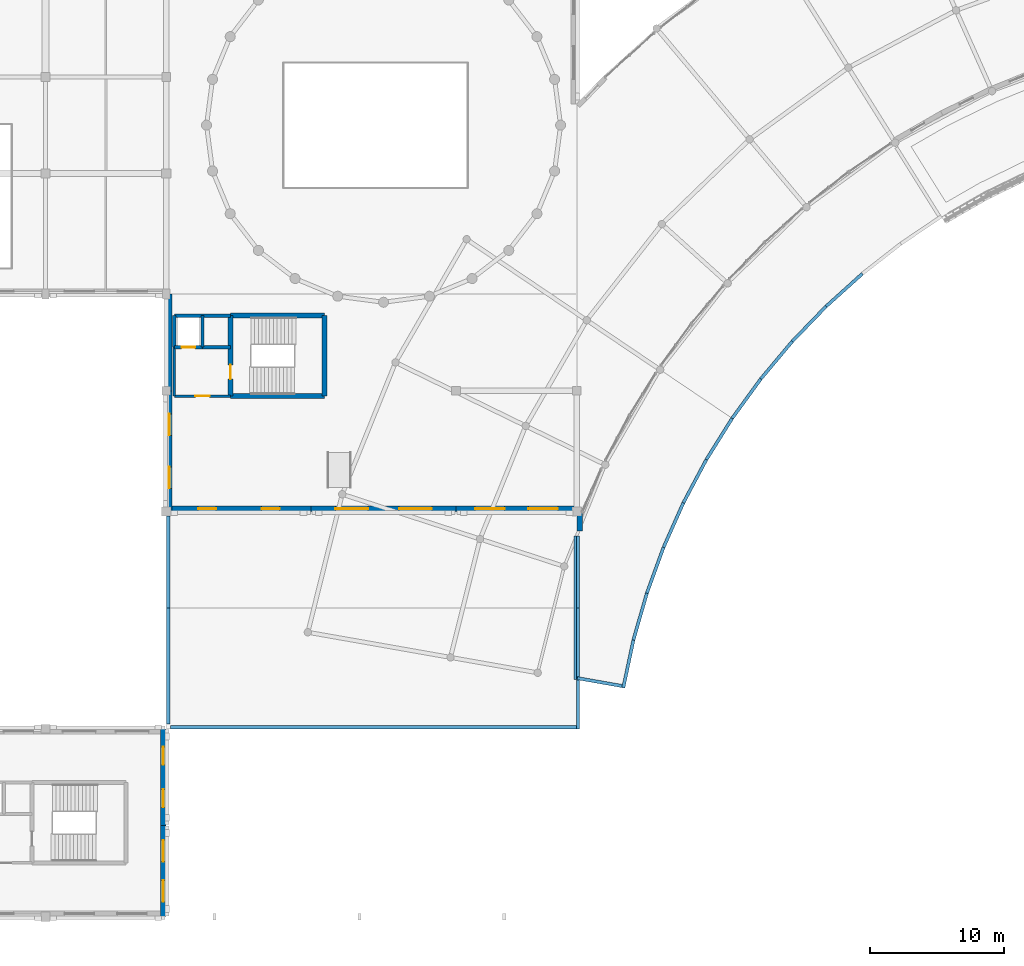
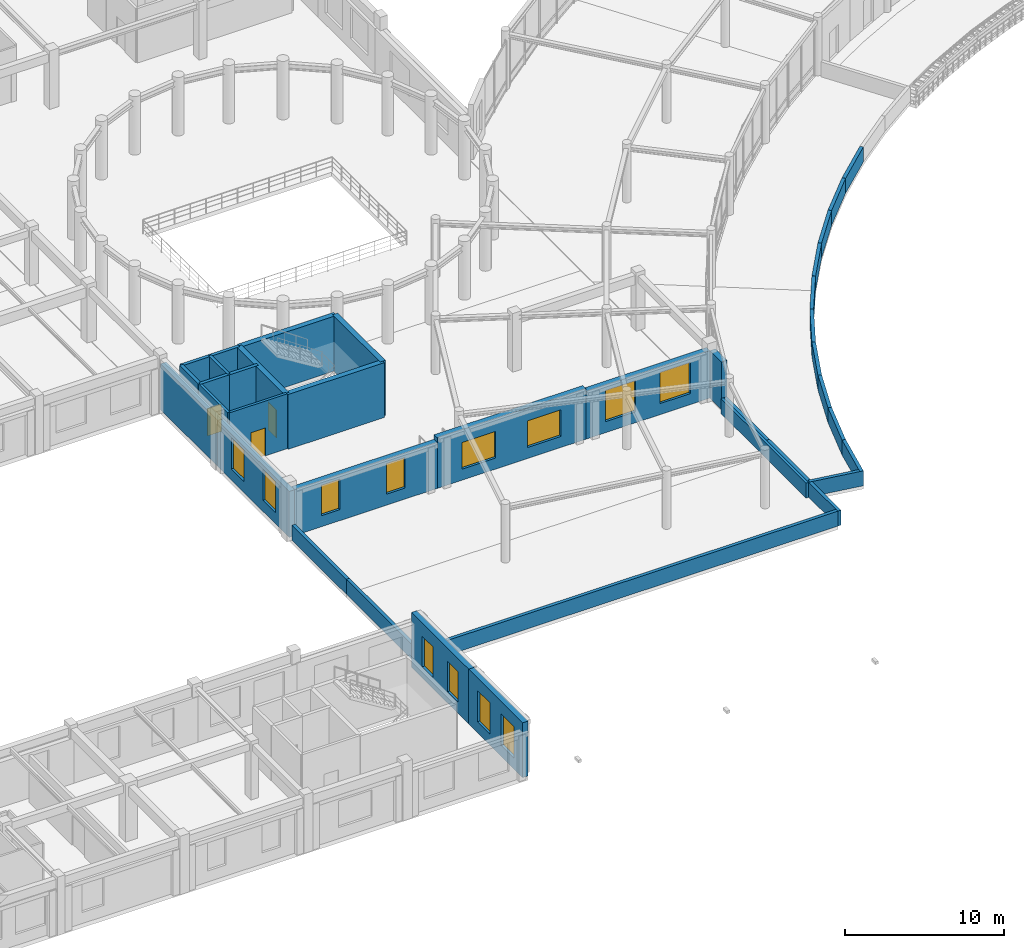
# One storey, part 39 of 62: 36 walls, 12 windows, 3 doors, 15 openings.
"""IFC4 building model written with IfcOpenShell, lengths in metres."""

from ifc_helpers import new_model, si_unit, direction, frame, frame_2d, origin, place, context, subcontext, project, spatial, rectangle, extrude, material, layer, layer_set, type_object, element, fill, save


model = new_model("IFC4")

# Units and contexts
model_context = context("Model", 3, precision=1e-05, world=origin(), true_north=direction((0.0, 1.0)))
body_context = subcontext(model_context, "Body", "Model", "MODEL_VIEW")
ifc_project = project(units=[si_unit("LENGTHUNIT", "METRE"), si_unit("AREAUNIT", "SQUARE_METRE"), si_unit("VOLUMEUNIT", "CUBIC_METRE"), si_unit("PLANEANGLEUNIT", "RADIAN"), si_unit("MASSUNIT", "GRAM", prefix="KILO")], contexts=[model_context])

# Site, building, storey
site_placement = place(None, origin())
site = spatial("IfcSite", under=ifc_project, at=site_placement, CompositionType="ELEMENT")
building_placement = place(site_placement, origin())
building = spatial("IfcBuilding", under=site, at=building_placement, Name="Clarverna Civic Hall", CompositionType="ELEMENT")
storey_placement = place(building_placement, frame((0.0, 0.0, 5.10009765625)))
storey = spatial("IfcBuildingStorey", under=building, at=storey_placement, Name="L01", CompositionType="ELEMENT", Elevation=5.10009765625)

# Wall
ifc_material_1 = material(Name="Montjuic Limestone Ashlar Cladding", Category="masonry")
ifc_layer_1 = layer(ifc_material_1, 0.39990234375)
ifc_layer_set_1 = layer_set([ifc_layer_1], Name="Montjuic Limestone Ashlar Cladding")
wall_type_1 = type_object("IfcWallType", Name="EW-02", PredefinedType="SOLIDWALL", material=ifc_layer_set_1)
wall_1_placement = place(storey_placement, frame((97.425048828125, 28.737548828125, 0.0), z_axis=(0.0, 0.0, 1.0), x_axis=(0.0, 1.0, 0.0)))
element("IfcWall", 1, at=wall_1_placement, inside=storey, type_object=wall_type_1, Name="EW-02-054", PredefinedType="SOLIDWALL", context=body_context, shape_type="SweptSolid", body=[
    extrude(rectangle(XDim=1.46240234375, YDim=0.39990234375, at=frame_2d((0.731201171875, 0.0))), origin(), (0.0, 0.0, 1.0), 3.659912109375),
])

# Wall, openings, windows
wall_2_placement = place(storey_placement, frame((97.22509765625, 30.39990234375, 0.0), z_axis=(0.0, 0.0, 1.0), x_axis=(-1.0, 0.0, 0.0)))
wall_2 = element("IfcWall", 2, at=wall_2_placement, inside=storey, type_object=wall_type_1, Name="EW-02-055", PredefinedType="SOLIDWALL", context=body_context, shape_type="SweptSolid", body=[
    extrude(rectangle(XDim=9.025146484375, YDim=0.39990234375, at=frame_2d((4.5126953125, 0.0))), origin(), (0.0, 0.0, 1.0), 3.659912109375),
])
opening_1_placement = place(wall_2_placement, frame((1.427001953125, 0.0, 0.85009765625)))
opening_1 = element("IfcOpeningElement", 3, at=opening_1_placement, cuts=wall_2, Name="Opening WN-04", PredefinedType="OPENING", context=body_context, shape_type="SweptSolid", body=[
    extrude(rectangle(XDim=2.199951171875, YDim=2.39990234375, at=frame_2d((1.10009765625, 1.199951171875))), frame((0.0, 0.2099609375, 0.0), z_axis=(0.0, -1.0, 0.0), x_axis=(1.0, 0.0, 0.0)), (0.0, 0.0, 1.0), 0.419921875),
])
opening_2_placement = place(wall_2_placement, frame((5.39794921875, 0.0, 0.85009765625)))
opening_2 = element("IfcOpeningElement", 4, at=opening_2_placement, cuts=wall_2, Name="Opening WN-04", PredefinedType="OPENING", context=body_context, shape_type="SweptSolid", body=[
    extrude(rectangle(XDim=2.199951171875, YDim=2.39990234375, at=frame_2d((1.10009765625, 1.199951171875))), frame((0.0, 0.2099609375, 0.0), z_axis=(0.0, -1.0, 0.0), x_axis=(1.0, 0.0, 0.0)), (0.0, 0.0, 1.0), 0.419921875),
])
ifc_material_2 = material(Name="Solar-Control Argon Low-E Double Glazing", Category="glass")
window_type_1 = type_object("IfcWindowType", Name="WN-04", PartitioningType="DOUBLE_PANEL_VERTICAL", PredefinedType="WINDOW", material=ifc_material_2)
window_1_placement = place(opening_1_placement, origin())
window_1 = element("IfcWindow", 5, at=window_1_placement, inside=storey, type_object=window_type_1, Name="WN-04-015", OverallHeight=2.39990234375, OverallWidth=2.199951171875, PartitioningType="DOUBLE_PANEL_VERTICAL", PredefinedType="WINDOW", context=body_context, shape_type="SweptSolid", body=[
    extrude(rectangle(XDim=2.199951171875, YDim=2.39990234375, at=frame_2d((1.10009765625, 1.199951171875))), frame((0.0, 0.030029296875, 0.0), z_axis=(0.0, -1.0, 0.0), x_axis=(1.0, 0.0, 0.0)), (0.0, 0.0, 1.0), 0.06005859375),
])
fill(opening_1, window_1)
window_2_placement = place(opening_2_placement, origin())
window_2 = element("IfcWindow", 6, at=window_2_placement, inside=storey, type_object=window_type_1, Name="WN-04-016", OverallHeight=2.39990234375, OverallWidth=2.199951171875, PartitioningType="DOUBLE_PANEL_VERTICAL", PredefinedType="WINDOW", context=body_context, shape_type="SweptSolid", body=[
    extrude(rectangle(XDim=2.199951171875, YDim=2.39990234375, at=frame_2d((1.10009765625, 1.199951171875))), frame((0.0, 0.030029296875, 0.0), z_axis=(0.0, -1.0, 0.0), x_axis=(1.0, 0.0, 0.0)), (0.0, 0.0, 1.0), 0.06005859375),
])
fill(opening_2, window_2)

wall_3_placement = place(storey_placement, frame((88.199951171875, 30.39990234375, 0.0), z_axis=(0.0, 0.0, 1.0), x_axis=(-1.0, 0.0, 0.0)))
wall_3 = element("IfcWall", 7, at=wall_3_placement, inside=storey, type_object=wall_type_1, Name="EW-02-056", PredefinedType="SOLIDWALL", context=body_context, shape_type="SweptSolid", body=[
    extrude(rectangle(XDim=10.800048828125, YDim=0.39990234375, at=frame_2d((5.39990234375, 0.0))), origin(), (0.0, 0.0, 1.0), 3.889892578125),
])
opening_3_placement = place(wall_3_placement, frame((1.799072265625, 0.0, 0.85009765625)))
opening_3 = element("IfcOpeningElement", 8, at=opening_3_placement, cuts=wall_3, Name="Opening WN-24", PredefinedType="OPENING", context=body_context, shape_type="SweptSolid", body=[
    extrude(rectangle(XDim=2.449951171875, YDim=2.050048828125, at=frame_2d((1.22509765625, 1.02490234375))), frame((0.0, 0.2099609375, 0.0), z_axis=(0.0, -1.0, 0.0), x_axis=(1.0, 0.0, 0.0)), (0.0, 0.0, 1.0), 0.419921875),
])
opening_4_placement = place(wall_3_placement, frame((6.551025390625, 0.0, 0.85009765625)))
opening_4 = element("IfcOpeningElement", 9, at=opening_4_placement, cuts=wall_3, Name="Opening WN-24", PredefinedType="OPENING", context=body_context, shape_type="SweptSolid", body=[
    extrude(rectangle(XDim=2.449951171875, YDim=2.050048828125, at=frame_2d((1.22509765625, 1.02490234375))), frame((0.0, 0.2099609375, 0.0), z_axis=(0.0, -1.0, 0.0), x_axis=(1.0, 0.0, 0.0)), (0.0, 0.0, 1.0), 0.419921875),
])
window_type_2 = type_object("IfcWindowType", Name="WN-24", PartitioningType="TRIPLE_PANEL_VERTICAL", PredefinedType="WINDOW", material=ifc_material_2)
window_3_placement = place(opening_3_placement, origin())
window_3 = element("IfcWindow", 10, at=window_3_placement, inside=storey, type_object=window_type_2, Name="WN-24-023", OverallHeight=2.050048828125, OverallWidth=2.449951171875, PartitioningType="TRIPLE_PANEL_VERTICAL", PredefinedType="WINDOW", context=body_context, shape_type="SweptSolid", body=[
    extrude(rectangle(XDim=2.449951171875, YDim=2.050048828125, at=frame_2d((1.22509765625, 1.02490234375))), frame((0.0, 0.030029296875, 0.0), z_axis=(0.0, -1.0, 0.0), x_axis=(1.0, 0.0, 0.0)), (0.0, 0.0, 1.0), 0.06005859375),
])
fill(opening_3, window_3)
window_4_placement = place(opening_4_placement, origin())
window_4 = element("IfcWindow", 11, at=window_4_placement, inside=storey, type_object=window_type_2, Name="WN-24-024", OverallHeight=2.050048828125, OverallWidth=2.449951171875, PartitioningType="TRIPLE_PANEL_VERTICAL", PredefinedType="WINDOW", context=body_context, shape_type="SweptSolid", body=[
    extrude(rectangle(XDim=2.449951171875, YDim=2.050048828125, at=frame_2d((1.22509765625, 1.02490234375))), frame((0.0, 0.030029296875, 0.0), z_axis=(0.0, -1.0, 0.0), x_axis=(1.0, 0.0, 0.0)), (0.0, 0.0, 1.0), 0.06005859375),
])
fill(opening_4, window_4)

wall_4_placement = place(storey_placement, frame((77.39990234375, 30.39990234375, 0.0), z_axis=(0.0, 0.0, 1.0), x_axis=(-1.0, 0.0, 0.0)))
wall_4 = element("IfcWall", 12, at=wall_4_placement, inside=storey, type_object=wall_type_1, Name="EW-02-057", PredefinedType="SOLIDWALL", context=body_context, shape_type="SweptSolid", body=[
    extrude(rectangle(XDim=10.77490234375, YDim=0.39990234375, at=frame_2d((5.387451171875, 0.0))), origin(), (0.0, 0.0, 1.0), 3.539794921875),
])
opening_5_placement = place(wall_4_placement, frame((2.342041015625, 0.0, 0.85009765625)))
opening_5 = element("IfcOpeningElement", 13, at=opening_5_placement, cuts=wall_4, Name="Opening WN-29", PredefinedType="OPENING", context=body_context, shape_type="SweptSolid", body=[
    extrude(rectangle(XDim=1.35009765625, YDim=2.35009765625, at=frame_2d((0.675048828125, 1.175048828125))), frame((0.0, 0.2099609375, 0.0), z_axis=(0.0, -1.0, 0.0), x_axis=(1.0, 0.0, 0.0)), (0.0, 0.0, 1.0), 0.419921875),
])
opening_6_placement = place(wall_4_placement, frame((7.0830078125, 0.0, 0.85009765625)))
opening_6 = element("IfcOpeningElement", 14, at=opening_6_placement, cuts=wall_4, Name="Opening WN-29", PredefinedType="OPENING", context=body_context, shape_type="SweptSolid", body=[
    extrude(rectangle(XDim=1.35009765625, YDim=2.35009765625, at=frame_2d((0.675048828125, 1.175048828125))), frame((0.0, 0.2099609375, 0.0), z_axis=(0.0, -1.0, 0.0), x_axis=(1.0, 0.0, 0.0)), (0.0, 0.0, 1.0), 0.419921875),
])
window_type_3 = type_object("IfcWindowType", Name="WN-29", PartitioningType="SINGLE_PANEL", PredefinedType="WINDOW", material=ifc_material_2)
window_5_placement = place(opening_5_placement, origin())
window_5 = element("IfcWindow", 15, at=window_5_placement, inside=storey, type_object=window_type_3, Name="WN-29-024", OverallHeight=2.35009765625, OverallWidth=1.35009765625, PartitioningType="SINGLE_PANEL", PredefinedType="WINDOW", context=body_context, shape_type="SweptSolid", body=[
    extrude(rectangle(XDim=1.35009765625, YDim=2.35009765625, at=frame_2d((0.675048828125, 1.175048828125))), frame((0.0, 0.030029296875, 0.0), z_axis=(0.0, -1.0, 0.0), x_axis=(1.0, 0.0, 0.0)), (0.0, 0.0, 1.0), 0.06005859375),
])
fill(opening_5, window_5)
window_6_placement = place(opening_6_placement, origin())
window_6 = element("IfcWindow", 16, at=window_6_placement, inside=storey, type_object=window_type_3, Name="WN-29-025", OverallHeight=2.35009765625, OverallWidth=1.35009765625, PartitioningType="SINGLE_PANEL", PredefinedType="WINDOW", context=body_context, shape_type="SweptSolid", body=[
    extrude(rectangle(XDim=1.35009765625, YDim=2.35009765625, at=frame_2d((0.675048828125, 1.175048828125))), frame((0.0, 0.030029296875, 0.0), z_axis=(0.0, -1.0, 0.0), x_axis=(1.0, 0.0, 0.0)), (0.0, 0.0, 1.0), 0.06005859375),
])
fill(opening_6, window_6)

wall_5_placement = place(storey_placement, frame((66.824951171875, 30.199951171875, 0.0), z_axis=(0.0, 0.0, 1.0), x_axis=(0.0, 1.0, 0.0)))
wall_5 = element("IfcWall", 17, at=wall_5_placement, inside=storey, type_object=wall_type_1, Name="EW-02-058", PredefinedType="SOLIDWALL", context=body_context, shape_type="SweptSolid", body=[
    extrude(rectangle(XDim=9.0, YDim=0.39990234375, at=frame_2d((4.5, 0.0))), origin(), (0.0, 0.0, 1.0), 3.539794921875),
])
opening_7_placement = place(wall_5_placement, frame((1.719970703125, 0.0, 0.85009765625)))
opening_7 = element("IfcOpeningElement", 18, at=opening_7_placement, cuts=wall_5, Name="Opening WN-03", PredefinedType="OPENING", context=body_context, shape_type="SweptSolid", body=[
    extrude(rectangle(XDim=1.60009765625, YDim=2.39990234375, at=frame_2d((0.800048828125, 1.199951171875))), frame((0.0, 0.2099609375, 0.0), z_axis=(0.0, -1.0, 0.0), x_axis=(1.0, 0.0, 0.0)), (0.0, 0.0, 1.0), 0.419921875),
])
opening_8_placement = place(wall_5_placement, frame((5.679931640625, 0.0, 0.85009765625)))
opening_8 = element("IfcOpeningElement", 19, at=opening_8_placement, cuts=wall_5, Name="Opening WN-03", PredefinedType="OPENING", context=body_context, shape_type="SweptSolid", body=[
    extrude(rectangle(XDim=1.60009765625, YDim=2.39990234375, at=frame_2d((0.800048828125, 1.199951171875))), frame((0.0, 0.2099609375, 0.0), z_axis=(0.0, -1.0, 0.0), x_axis=(1.0, 0.0, 0.0)), (0.0, 0.0, 1.0), 0.419921875),
])
window_type_4 = type_object("IfcWindowType", Name="WN-03", PartitioningType="DOUBLE_PANEL_VERTICAL", PredefinedType="WINDOW", material=ifc_material_2)
window_7_placement = place(opening_7_placement, origin())
window_7 = element("IfcWindow", 20, at=window_7_placement, inside=storey, type_object=window_type_4, Name="WN-03-019", OverallHeight=2.39990234375, OverallWidth=1.60009765625, PartitioningType="DOUBLE_PANEL_VERTICAL", PredefinedType="WINDOW", context=body_context, shape_type="SweptSolid", body=[
    extrude(rectangle(XDim=1.60009765625, YDim=2.39990234375, at=frame_2d((0.800048828125, 1.199951171875))), frame((0.0, 0.030029296875, 0.0), z_axis=(0.0, -1.0, 0.0), x_axis=(1.0, 0.0, 0.0)), (0.0, 0.0, 1.0), 0.06005859375),
])
fill(opening_7, window_7)
window_8_placement = place(opening_8_placement, origin())
window_8 = element("IfcWindow", 21, at=window_8_placement, inside=storey, type_object=window_type_4, Name="WN-03-020", OverallHeight=2.39990234375, OverallWidth=1.60009765625, PartitioningType="DOUBLE_PANEL_VERTICAL", PredefinedType="WINDOW", context=body_context, shape_type="SweptSolid", body=[
    extrude(rectangle(XDim=1.60009765625, YDim=2.39990234375, at=frame_2d((0.800048828125, 1.199951171875))), frame((0.0, 0.030029296875, 0.0), z_axis=(0.0, -1.0, 0.0), x_axis=(1.0, 0.0, 0.0)), (0.0, 0.0, 1.0), 0.06005859375),
])
fill(opening_8, window_8)

# Wall
wall_6_placement = place(storey_placement, frame((66.824951171875, 39.199951171875, 0.0), z_axis=(0.0, 0.0, 1.0), x_axis=(0.0, 1.0, 0.0)))
element("IfcWall", 22, at=wall_6_placement, inside=storey, type_object=wall_type_1, Name="EW-02-059", PredefinedType="SOLIDWALL", context=body_context, shape_type="SweptSolid", body=[
    extrude(rectangle(XDim=7.199951171875, YDim=0.39990234375, at=frame_2d((3.60009765625, 0.0))), origin(), (0.0, 0.0, 1.0), 3.539794921875),
])

# Wall, openings, windows
wall_7_placement = place(storey_placement, frame((66.375, 14.0, 0.0), z_axis=(0.0, 0.0, 1.0), x_axis=(0.0, -1.0, 0.0)))
wall_7 = element("IfcWall", 23, at=wall_7_placement, inside=storey, type_object=wall_type_1, Name="EW-02-074", PredefinedType="SOLIDWALL", context=body_context, shape_type="SweptSolid", body=[
    extrude(rectangle(XDim=7.199951171875, YDim=0.39990234375, at=frame_2d((3.60009765625, 0.0))), origin(), (0.0, 0.0, 1.0), 4.219970703125),
])
opening_9_placement = place(wall_7_placement, frame((1.341064453125, 0.0, 0.85009765625)))
opening_9 = element("IfcOpeningElement", 24, at=opening_9_placement, cuts=wall_7, Name="Opening WN-29", PredefinedType="OPENING", context=body_context, shape_type="SweptSolid", body=[
    extrude(rectangle(XDim=1.35009765625, YDim=2.35009765625, at=frame_2d((0.675048828125, 1.175048828125))), frame((0.0, 0.2099609375, 0.0), z_axis=(0.0, -1.0, 0.0), x_axis=(1.0, 0.0, 0.0)), (0.0, 0.0, 1.0), 0.419921875),
])
opening_10_placement = place(wall_7_placement, frame((4.509033203125, 0.0, 0.85009765625)))
opening_10 = element("IfcOpeningElement", 25, at=opening_10_placement, cuts=wall_7, Name="Opening WN-29", PredefinedType="OPENING", context=body_context, shape_type="SweptSolid", body=[
    extrude(rectangle(XDim=1.35009765625, YDim=2.35009765625, at=frame_2d((0.675048828125, 1.175048828125))), frame((0.0, 0.2099609375, 0.0), z_axis=(0.0, -1.0, 0.0), x_axis=(1.0, 0.0, 0.0)), (0.0, 0.0, 1.0), 0.419921875),
])
window_9_placement = place(opening_9_placement, origin())
window_9 = element("IfcWindow", 26, at=window_9_placement, inside=storey, type_object=window_type_3, Name="WN-29-032", OverallHeight=2.35009765625, OverallWidth=1.35009765625, PartitioningType="SINGLE_PANEL", PredefinedType="WINDOW", context=body_context, shape_type="SweptSolid", body=[
    extrude(rectangle(XDim=1.35009765625, YDim=2.35009765625, at=frame_2d((0.675048828125, 1.175048828125))), frame((0.0, 0.030029296875, 0.0), z_axis=(0.0, -1.0, 0.0), x_axis=(1.0, 0.0, 0.0)), (0.0, 0.0, 1.0), 0.06005859375),
])
fill(opening_9, window_9)
window_10_placement = place(opening_10_placement, origin())
window_10 = element("IfcWindow", 27, at=window_10_placement, inside=storey, type_object=window_type_3, Name="WN-29-033", OverallHeight=2.35009765625, OverallWidth=1.35009765625, PartitioningType="SINGLE_PANEL", PredefinedType="WINDOW", context=body_context, shape_type="SweptSolid", body=[
    extrude(rectangle(XDim=1.35009765625, YDim=2.35009765625, at=frame_2d((0.675048828125, 1.175048828125))), frame((0.0, 0.030029296875, 0.0), z_axis=(0.0, -1.0, 0.0), x_axis=(1.0, 0.0, 0.0)), (0.0, 0.0, 1.0), 0.06005859375),
])
fill(opening_10, window_10)

wall_8_placement = place(storey_placement, frame((66.375, 6.800048828125, 0.0), z_axis=(0.0, 0.0, 1.0), x_axis=(0.0, -1.0, 0.0)))
wall_8 = element("IfcWall", 28, at=wall_8_placement, inside=storey, type_object=wall_type_1, Name="EW-02-075", PredefinedType="SOLIDWALL", context=body_context, shape_type="SweptSolid", body=[
    extrude(rectangle(XDim=6.800048828125, YDim=0.39990234375, at=frame_2d((3.39990234375, 0.0))), origin(), (0.0, 0.0, 1.0), 4.219970703125),
])
opening_11_placement = place(wall_8_placement, frame((1.10400390625, 0.0, 0.85009765625)))
opening_11 = element("IfcOpeningElement", 29, at=opening_11_placement, cuts=wall_8, Name="Opening WN-03", PredefinedType="OPENING", context=body_context, shape_type="SweptSolid", body=[
    extrude(rectangle(XDim=1.60009765625, YDim=2.39990234375, at=frame_2d((0.800048828125, 1.199951171875))), frame((0.0, 0.2099609375, 0.0), z_axis=(0.0, -1.0, 0.0), x_axis=(1.0, 0.0, 0.0)), (0.0, 0.0, 1.0), 0.419921875),
])
opening_12_placement = place(wall_8_placement, frame((4.095947265625, 0.0, 0.85009765625)))
opening_12 = element("IfcOpeningElement", 30, at=opening_12_placement, cuts=wall_8, Name="Opening WN-03", PredefinedType="OPENING", context=body_context, shape_type="SweptSolid", body=[
    extrude(rectangle(XDim=1.60009765625, YDim=2.39990234375, at=frame_2d((0.800048828125, 1.199951171875))), frame((0.0, 0.2099609375, 0.0), z_axis=(0.0, -1.0, 0.0), x_axis=(1.0, 0.0, 0.0)), (0.0, 0.0, 1.0), 0.419921875),
])
window_11_placement = place(opening_11_placement, origin())
window_11 = element("IfcWindow", 31, at=window_11_placement, inside=storey, type_object=window_type_4, Name="WN-03-027", OverallHeight=2.39990234375, OverallWidth=1.60009765625, PartitioningType="DOUBLE_PANEL_VERTICAL", PredefinedType="WINDOW", context=body_context, shape_type="SweptSolid", body=[
    extrude(rectangle(XDim=1.60009765625, YDim=2.39990234375, at=frame_2d((0.800048828125, 1.199951171875))), frame((0.0, 0.030029296875, 0.0), z_axis=(0.0, -1.0, 0.0), x_axis=(1.0, 0.0, 0.0)), (0.0, 0.0, 1.0), 0.06005859375),
])
fill(opening_11, window_11)
window_12_placement = place(opening_12_placement, origin())
window_12 = element("IfcWindow", 32, at=window_12_placement, inside=storey, type_object=window_type_4, Name="WN-03-028", OverallHeight=2.39990234375, OverallWidth=1.60009765625, PartitioningType="DOUBLE_PANEL_VERTICAL", PredefinedType="WINDOW", context=body_context, shape_type="SweptSolid", body=[
    extrude(rectangle(XDim=1.60009765625, YDim=2.39990234375, at=frame_2d((0.800048828125, 1.199951171875))), frame((0.0, 0.030029296875, 0.0), z_axis=(0.0, -1.0, 0.0), x_axis=(1.0, 0.0, 0.0)), (0.0, 0.0, 1.0), 0.06005859375),
])
fill(opening_12, window_12)

# Walls
ifc_material_3 = material(Name="Precast concrete C40/50", Category="concrete")
ifc_layer_2 = layer(ifc_material_3, 0.239990234375)
ifc_layer_set_2 = layer_set([ifc_layer_2], Name="Precast concrete C40/50")
wall_type_2 = type_object("IfcWallType", Name="PR-01", PredefinedType="PARAPET", material=ifc_layer_set_2)
wall_9_placement = place(storey_placement, frame((66.7451171875, 23.0, 0.0), z_axis=(0.0, 0.0, 1.0), x_axis=(0.0, 1.0, 0.0)))
element("IfcWall", 33, at=wall_9_placement, inside=storey, type_object=wall_type_2, Name="PR-01-001", PredefinedType="PARAPET", context=body_context, shape_type="SweptSolid", body=[
    extrude(rectangle(XDim=6.85009765625, YDim=0.239990234375, at=frame_2d((3.425048828125, 0.0))), origin(), (0.0, 0.0, 1.0), 1.14990234375),
])
wall_10_placement = place(storey_placement, frame((97.294921875, 28.3916015625, 0.0), z_axis=(0.0, 0.0, 1.0), x_axis=(0.0, -1.0, 0.0)))
element("IfcWall", 34, at=wall_10_placement, inside=storey, type_object=wall_type_2, Name="PR-01-002", PredefinedType="PARAPET", context=body_context, shape_type="SweptSolid", body=[
    extrude(rectangle(XDim=5.3916015625, YDim=0.239990234375, at=frame_2d((2.69580078125, 0.0))), origin(), (0.0, 0.0, 1.0), 1.14990234375),
])
wall_11_placement = place(storey_placement, frame((97.294921875, 23.0, 0.0), z_axis=(0.0, 0.0, 1.0), x_axis=(0.0, -1.0, 0.0)))
element("IfcWall", 35, at=wall_11_placement, inside=storey, type_object=wall_type_2, Name="PR-01-003", PredefinedType="PARAPET", context=body_context, shape_type="SweptSolid", body=[
    extrude(rectangle(XDim=9.0, YDim=0.239990234375, at=frame_2d((4.5, 0.0))), origin(), (0.0, 0.0, 1.0), 1.14990234375),
])
wall_12_placement = place(storey_placement, frame((97.175048828125, 14.1201171875, 0.0), z_axis=(0.0, 0.0, 1.0), x_axis=(-1.0, 0.0, 0.0)))
element("IfcWall", 36, at=wall_12_placement, inside=storey, type_object=wall_type_2, Name="PR-01-004", PredefinedType="PARAPET", context=body_context, shape_type="SweptSolid", body=[
    extrude(rectangle(XDim=30.25, YDim=0.239990234375, at=frame_2d((15.125, 0.0))), origin(), (0.0, 0.0, 1.0), 1.14990234375),
])
wall_13_placement = place(storey_placement, frame((66.7451171875, 14.345947265625, 0.0), z_axis=(0.0, 0.0, 1.0), x_axis=(0.0, 1.0, 0.0)))
element("IfcWall", 37, at=wall_13_placement, inside=storey, type_object=wall_type_2, Name="PR-01-005", PredefinedType="PARAPET", context=body_context, shape_type="SweptSolid", body=[
    extrude(rectangle(XDim=8.654052734375, YDim=0.239990234375, at=frame_2d((4.3271484375, 0.0))), origin(), (0.0, 0.0, 1.0), 1.14990234375),
])
wall_14_placement = place(storey_placement, frame((101.42724609375, 20.604736328125, 0.0), z_axis=(0.0, 0.0, 1.0), x_axis=(-0.207925530612, -0.978144658892, 0.0)))
element("IfcWall", 38, at=wall_14_placement, inside=storey, type_object=wall_type_2, Name="PR-01-006", PredefinedType="PARAPET", context=body_context, shape_type="SweptSolid", body=[
    extrude(rectangle(XDim=3.62939453125, YDim=0.239990234375, at=frame_2d((1.814697265625, 0.0))), origin(), (0.0, 0.0, 1.0), 1.14990234375),
])
wall_15_placement = place(storey_placement, frame((100.810791015625, 17.14794921875, 0.0), z_axis=(0.0, 0.0, 1.0), x_axis=(-0.984804599284, 0.173666062399, 0.0)))
element("IfcWall", 39, at=wall_15_placement, inside=storey, type_object=wall_type_2, Name="PR-01-007", PredefinedType="PARAPET", context=body_context, shape_type="SweptSolid", body=[
    extrude(rectangle(XDim=3.619873046875, YDim=0.239990234375, at=frame_2d((1.81005859375, 0.0))), origin(), (0.0, 0.0, 1.0), 1.14990234375),
])
wall_16_placement = place(storey_placement, frame((97.10498046875, 17.658203125, 0.0), z_axis=(0.0, 0.0, 1.0), x_axis=(0.0, 1.0, 0.0)))
element("IfcWall", 40, at=wall_16_placement, inside=storey, type_object=wall_type_2, Name="PR-01-008", PredefinedType="PARAPET", context=body_context, shape_type="SweptSolid", body=[
    extrude(rectangle(XDim=10.7294921875, YDim=0.239990234375, at=frame_2d((5.36474609375, 0.0))), origin(), (0.0, 0.0, 1.0), 1.14990234375),
])
for number, where, z_axis, x_axis, name in (
    (41, (118.49462890625, 47.923583984375, 0.0), (0.0, 0.0, 1.0), (-0.743103463026, -0.669176541159, 0.0), "PR-01-012"),
    (42, (115.79150390625, 45.489013671875, 0.0), (0.0, 0.0, 1.0), (-0.694655733571, -0.719342346742, 0.0), "PR-01-013"),
):
    element("IfcWall", number, at=place(storey_placement, frame(where, z_axis=z_axis, x_axis=x_axis)), inside=storey, type_object=wall_type_2, Name=name, PredefinedType="PARAPET", context=body_context, shape_type="SweptSolid", body=[
        extrude(rectangle(XDim=3.62939453125, YDim=0.239990234375, at=frame_2d((1.814697265625, 0.0))), origin(), (0.0, 0.0, 1.0), 1.14990234375),
    ])
for number, where, z_axis, x_axis, name in (
    (43, (113.2646484375, 42.871826171875, 0.0), (0.0, 0.0, 1.0), (-0.642840240173, -0.766000277816, 0.0), "PR-01-014"),
    (44, (110.92626953125, 40.0849609375, 0.0), (0.0, 0.0, 1.0), (-0.587747675588, -0.809044294115, 0.0), "PR-01-015"),
):
    element("IfcWall", number, at=place(storey_placement, frame(where, z_axis=z_axis, x_axis=x_axis)), inside=storey, type_object=wall_type_2, Name=name, PredefinedType="PARAPET", context=body_context, shape_type="SweptSolid", body=[
        extrude(rectangle(XDim=3.629638671875, YDim=0.239990234375, at=frame_2d((1.81494140625, 0.0))), origin(), (0.0, 0.0, 1.0), 1.14990234375),
    ])
wall_17_placement = place(storey_placement, frame((108.7880859375, 37.1416015625, 0.0), z_axis=(0.0, 0.0, 1.0), x_axis=(-0.529884047427, -0.848070101043, 0.0)))
element("IfcWall", 45, at=wall_17_placement, inside=storey, type_object=wall_type_2, Name="PR-01-016", PredefinedType="PARAPET", context=body_context, shape_type="SweptSolid", body=[
    extrude(rectangle(XDim=3.62939453125, YDim=0.239990234375, at=frame_2d((1.814697265625, 0.0))), origin(), (0.0, 0.0, 1.0), 1.14990234375),
])
wall_18_placement = place(storey_placement, frame((106.860595703125, 34.056396484375, 0.0), z_axis=(0.0, 0.0, 1.0), x_axis=(-0.469432248745, -0.882968495383, 0.0)))
element("IfcWall", 46, at=wall_18_placement, inside=storey, type_object=wall_type_2, Name="PR-01-017", PredefinedType="PARAPET", context=body_context, shape_type="SweptSolid", body=[
    extrude(rectangle(XDim=3.629638671875, YDim=0.239990234375, at=frame_2d((1.81494140625, 0.0))), origin(), (0.0, 0.0, 1.0), 1.14990234375),
])
for number, where, z_axis, x_axis, name in (
    (47, (105.153076171875, 30.843994140625, 0.0), (0.0, 0.0, 1.0), (-0.406756247659, -0.913536728868, 0.0), "PR-01-018"),
    (48, (103.673583984375, 27.5205078125, 0.0), (0.0, 0.0, 1.0), (-0.341980692871, -0.939706978639, 0.0), "PR-01-019"),
):
    element("IfcWall", number, at=place(storey_placement, frame(where, z_axis=z_axis, x_axis=x_axis)), inside=storey, type_object=wall_type_2, Name=name, PredefinedType="PARAPET", context=body_context, shape_type="SweptSolid", body=[
        extrude(rectangle(XDim=3.62939453125, YDim=0.239990234375, at=frame_2d((1.814697265625, 0.0))), origin(), (0.0, 0.0, 1.0), 1.14990234375),
    ])
wall_19_placement = place(storey_placement, frame((102.4296875, 24.10205078125, 0.0), z_axis=(0.0, 0.0, 1.0), x_axis=(-0.275644919325, -0.961259527105, 0.0)))
element("IfcWall", 49, at=wall_19_placement, inside=storey, type_object=wall_type_2, Name="PR-01-020", PredefinedType="PARAPET", context=body_context, shape_type="SweptSolid", body=[
    extrude(rectangle(XDim=3.629638671875, YDim=0.239990234375, at=frame_2d((1.81494140625, 0.0))), origin(), (0.0, 0.0, 1.0), 1.14990234375),
])
ifc_material_4 = material(Name="Acoustic Gypsum Plasterboard on Twin Frame", Category="gypsum")
ifc_layer_3 = layer(ifc_material_4, 0.18994140625)
ifc_layer_set_3 = layer_set([ifc_layer_3], Name="Acoustic Gypsum Plasterboard on Twin Frame")
wall_type_3 = type_object("IfcWallType", Name="PW-06", PredefinedType="PARTITIONING", material=ifc_layer_set_3)
wall_20_placement = place(storey_placement, frame((67.199951171875, 38.800048828125, 0.0), z_axis=(0.0, 0.0, 1.0), x_axis=(0.0, 1.0, 0.0)))
element("IfcWall", 50, at=wall_20_placement, inside=storey, type_object=wall_type_3, Name="PW-06-053", PredefinedType="PARTITIONING", context=body_context, shape_type="SweptSolid", body=[
    extrude(rectangle(XDim=3.64990234375, YDim=0.18994140625, at=frame_2d((1.824951171875, 0.0))), origin(), (0.0, 0.0, 1.0), 4.219970703125),
])

# Wall, opening, door
wall_21_placement = place(storey_placement, frame((67.199951171875, 38.800048828125, 0.0), z_axis=(0.0, 0.0, 1.0), x_axis=(1.0, 0.0, 0.0)))
wall_21 = element("IfcWall", 51, at=wall_21_placement, inside=storey, type_object=wall_type_3, Name="PW-06-054", PredefinedType="PARTITIONING", context=body_context, shape_type="SweptSolid", body=[
    extrude(rectangle(XDim=4.199951171875, YDim=0.18994140625, at=frame_2d((2.10009765625, 0.0))), origin(), (0.0, 0.0, 1.0), 4.219970703125),
])
opening_13_placement = place(wall_21_placement, frame((1.574951171875, 0.0, 0.0)))
opening_13 = element("IfcOpeningElement", 52, at=opening_13_placement, cuts=wall_21, Name="Opening FD-02", PredefinedType="OPENING", context=body_context, shape_type="SweptSolid", body=[
    extrude(rectangle(XDim=1.050048828125, YDim=2.14990234375, at=frame_2d((0.52490234375, 1.074951171875))), frame((0.0, 0.10498046875, 0.0), z_axis=(0.0, -1.0, 0.0), x_axis=(1.0, 0.0, 0.0)), (0.0, 0.0, 1.0), 0.2099609375),
])
ifc_material_5 = material(Name="Acoustic Timber-Faced Fire Door", Category="wood")
door_type_1 = type_object("IfcDoorType", Name="FD-02", OperationType="NOTDEFINED", PredefinedType="DOOR", material=ifc_material_5)
door_1_placement = place(opening_13_placement, origin())
door_1 = element("IfcDoor", 53, at=door_1_placement, inside=storey, type_object=door_type_1, Name="FD-02-050", OperationType="SINGLE_SWING_RIGHT", OverallHeight=2.14990234375, OverallWidth=1.050048828125, PredefinedType="DOOR", context=body_context, shape_type="SweptSolid", body=[
    extrude(rectangle(XDim=1.050048828125, YDim=2.14990234375, at=frame_2d((0.52490234375, 1.074951171875))), frame((0.0, 0.02490234375, 0.0), z_axis=(0.0, -1.0, 0.0), x_axis=(1.0, 0.0, 0.0)), (0.0, 0.0, 1.0), 0.050048828125),
])
fill(opening_13, door_1)

ifc_material_6 = material(Name="Concrete C35/45", Category="concrete")
ifc_layer_4 = layer(ifc_material_6, 0.3798828125)
ifc_layer_set_4 = layer_set([ifc_layer_4], Name="Concrete C35/45")
wall_type_4 = type_object("IfcWallType", Name="SW-01", PredefinedType="SHEAR", material=ifc_layer_set_4)
wall_22_placement = place(storey_placement, frame((71.39990234375, 38.800048828125, 0.0), z_axis=(0.0, 0.0, 1.0), x_axis=(0.0, 1.0, 0.0)))
wall_22 = element("IfcWall", 54, at=wall_22_placement, inside=storey, type_object=wall_type_4, Name="SW-01-235", PredefinedType="SHEAR", context=body_context, shape_type="SweptSolid", body=[
    extrude(rectangle(XDim=6.0, YDim=0.3798828125, at=frame_2d((3.0, 0.0))), origin(), (0.0, 0.0, 1.0), 4.219970703125),
])
opening_14_placement = place(wall_22_placement, frame((1.27490234375, 0.0, 0.0)))
opening_14 = element("IfcOpeningElement", 55, at=opening_14_placement, cuts=wall_22, Name="Opening FD-02", PredefinedType="OPENING", context=body_context, shape_type="SweptSolid", body=[
    extrude(rectangle(XDim=1.050048828125, YDim=2.14990234375, at=frame_2d((0.52490234375, 1.074951171875))), frame((0.0, 0.199951171875, 0.0), z_axis=(0.0, -1.0, 0.0), x_axis=(1.0, 0.0, 0.0)), (0.0, 0.0, 1.0), 0.39990234375),
])
door_2_placement = place(opening_14_placement, origin())
door_2 = element("IfcDoor", 56, at=door_2_placement, inside=storey, type_object=door_type_1, Name="FD-02-049", OperationType="SINGLE_SWING_LEFT", OverallHeight=2.14990234375, OverallWidth=1.050048828125, PredefinedType="DOOR", context=body_context, shape_type="SweptSolid", body=[
    extrude(rectangle(XDim=1.050048828125, YDim=2.14990234375, at=frame_2d((0.52490234375, 1.074951171875))), frame((0.0, 0.02490234375, 0.0), z_axis=(0.0, -1.0, 0.0), x_axis=(1.0, 0.0, 0.0)), (0.0, 0.0, 1.0), 0.050048828125),
])
fill(opening_14, door_2)

# Walls
wall_23_placement = place(storey_placement, frame((78.39990234375, 38.800048828125, 0.0), z_axis=(0.0, 0.0, 1.0), x_axis=(0.0, 1.0, 0.0)))
element("IfcWall", 57, at=wall_23_placement, inside=storey, type_object=wall_type_4, Name="SW-01-236", PredefinedType="SHEAR", context=body_context, shape_type="SweptSolid", body=[
    extrude(rectangle(XDim=6.0, YDim=0.3798828125, at=frame_2d((3.0, 0.0))), origin(), (0.0, 0.0, 1.0), 4.219970703125),
])
for number, where, z_axis, x_axis, name in (
    (58, (71.39990234375, 38.800048828125, 0.0), (0.0, 0.0, 1.0), (1.0, 0.0, 0.0), "SW-01-237"),
    (59, (71.39990234375, 44.800048828125, 0.0), (0.0, 0.0, 1.0), (1.0, 0.0, 0.0), "SW-01-238"),
):
    element("IfcWall", number, at=place(storey_placement, frame(where, z_axis=z_axis, x_axis=x_axis)), inside=storey, type_object=wall_type_4, Name=name, PredefinedType="SHEAR", context=body_context, shape_type="SweptSolid", body=[
        extrude(rectangle(XDim=7.0, YDim=0.3798828125, at=frame_2d((3.5, 0.0))), origin(), (0.0, 0.0, 1.0), 4.219970703125),
    ])
wall_24_placement = place(storey_placement, frame((67.199951171875, 44.800048828125, 0.0), z_axis=(0.0, 0.0, 1.0), x_axis=(1.0, 0.0, 0.0)))
element("IfcWall", 60, at=wall_24_placement, inside=storey, type_object=wall_type_4, Name="SW-01-239", PredefinedType="SHEAR", context=body_context, shape_type="SweptSolid", body=[
    extrude(rectangle(XDim=4.199951171875, YDim=0.239990234375, at=frame_2d((2.10009765625, 0.0))), origin(), (0.0, 0.0, 1.0), 4.219970703125),
])
wall_25_placement = place(storey_placement, frame((67.199951171875, 42.449951171875, 0.0), z_axis=(0.0, 0.0, 1.0), x_axis=(0.0, 1.0, 0.0)))
element("IfcWall", 61, at=wall_25_placement, inside=storey, type_object=wall_type_4, Name="SW-01-240", PredefinedType="SHEAR", context=body_context, shape_type="SweptSolid", body=[
    extrude(rectangle(XDim=2.35009765625, YDim=0.239990234375, at=frame_2d((1.175048828125, 0.0))), origin(), (0.0, 0.0, 1.0), 4.219970703125),
])
wall_26_placement = place(storey_placement, frame((69.300048828125, 42.449951171875, 0.0), z_axis=(0.0, 0.0, 1.0), x_axis=(0.0, 1.0, 0.0)))
element("IfcWall", 62, at=wall_26_placement, inside=storey, type_object=wall_type_4, Name="SW-01-241", PredefinedType="SHEAR", context=body_context, shape_type="SweptSolid", body=[
    extrude(rectangle(XDim=2.35009765625, YDim=0.199951171875, at=frame_2d((1.175048828125, 0.0))), origin(), (0.0, 0.0, 1.0), 4.219970703125),
])

# Wall, opening, door
wall_27_placement = place(storey_placement, frame((67.199951171875, 42.449951171875, 0.0), z_axis=(0.0, 0.0, 1.0), x_axis=(1.0, 0.0, 0.0)))
wall_27 = element("IfcWall", 63, at=wall_27_placement, inside=storey, type_object=wall_type_4, Name="SW-01-242", PredefinedType="SHEAR", context=body_context, shape_type="SweptSolid", body=[
    extrude(rectangle(XDim=2.10009765625, YDim=0.239990234375, at=frame_2d((1.050048828125, 0.0))), origin(), (0.0, 0.0, 1.0), 4.219970703125),
])
opening_15_placement = place(wall_27_placement, frame((0.550048828125, 0.0, 0.0)))
opening_15 = element("IfcOpeningElement", 64, at=opening_15_placement, cuts=wall_27, Name="Opening LD-01", PredefinedType="OPENING", context=body_context, shape_type="SweptSolid", body=[
    extrude(rectangle(XDim=1.0, YDim=2.10009765625, at=frame_2d((0.5, 1.050048828125))), frame((0.0, 0.1298828125, 0.0), z_axis=(0.0, -1.0, 0.0), x_axis=(1.0, 0.0, 0.0)), (0.0, 0.0, 1.0), 0.260009765625),
])
ifc_material_7 = material(Name="Brushed Bronze Stainless Lift Landing Door")
door_type_2 = type_object("IfcDoorType", Name="LD-01", OperationType="SLIDING_TO_LEFT", PredefinedType="DOOR", material=ifc_material_7)
door_3_placement = place(opening_15_placement, origin())
door_3 = element("IfcDoor", 65, at=door_3_placement, inside=storey, type_object=door_type_2, Name="LD-01-051", OperationType="SLIDING_TO_LEFT", OverallHeight=2.10009765625, OverallWidth=1.0, PredefinedType="DOOR", context=body_context, shape_type="SweptSolid", body=[
    extrude(rectangle(XDim=1.0, YDim=2.10009765625, at=frame_2d((0.5, 1.050048828125))), frame((0.0, 0.02490234375, 0.0), z_axis=(0.0, -1.0, 0.0), x_axis=(1.0, 0.0, 0.0)), (0.0, 0.0, 1.0), 0.050048828125),
])
fill(opening_15, door_3)

# Wall
wall_28_placement = place(storey_placement, frame((69.300048828125, 42.449951171875, 0.0), z_axis=(0.0, 0.0, 1.0), x_axis=(1.0, 0.0, 0.0)))
element("IfcWall", 66, at=wall_28_placement, inside=storey, type_object=wall_type_4, Name="SW-01-243", PredefinedType="SHEAR", context=body_context, shape_type="SweptSolid", body=[
    extrude(rectangle(XDim=2.099853515625, YDim=0.239990234375, at=frame_2d((1.0498046875, 0.0))), origin(), (0.0, 0.0, 1.0), 4.219970703125),
])

save(model, "model.ifc")
